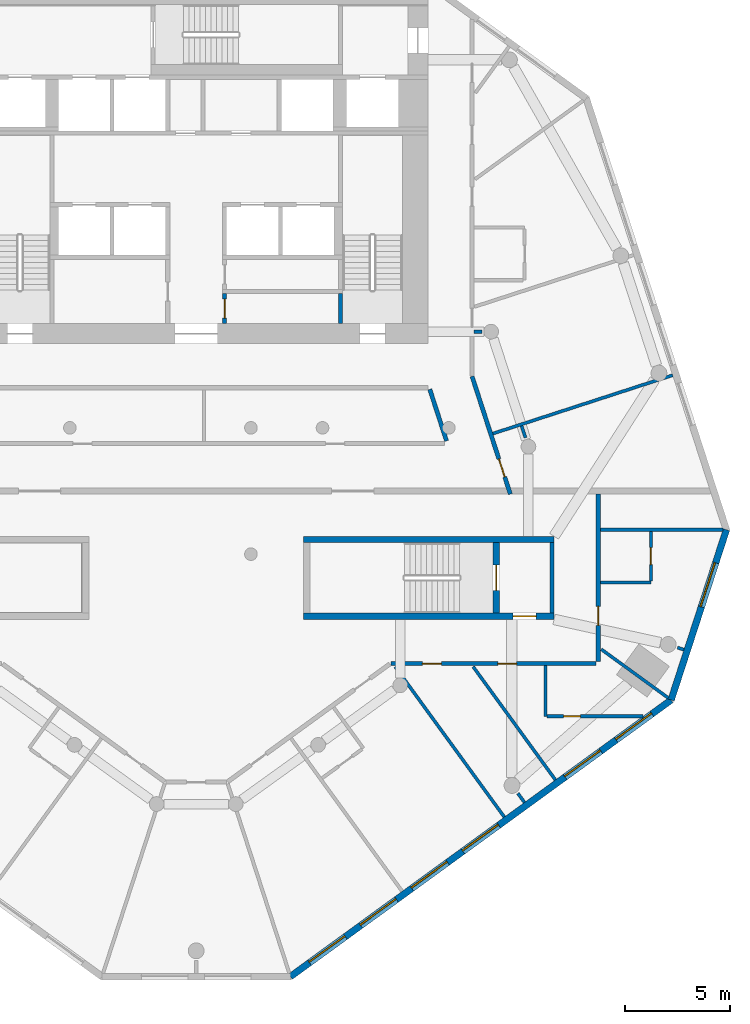
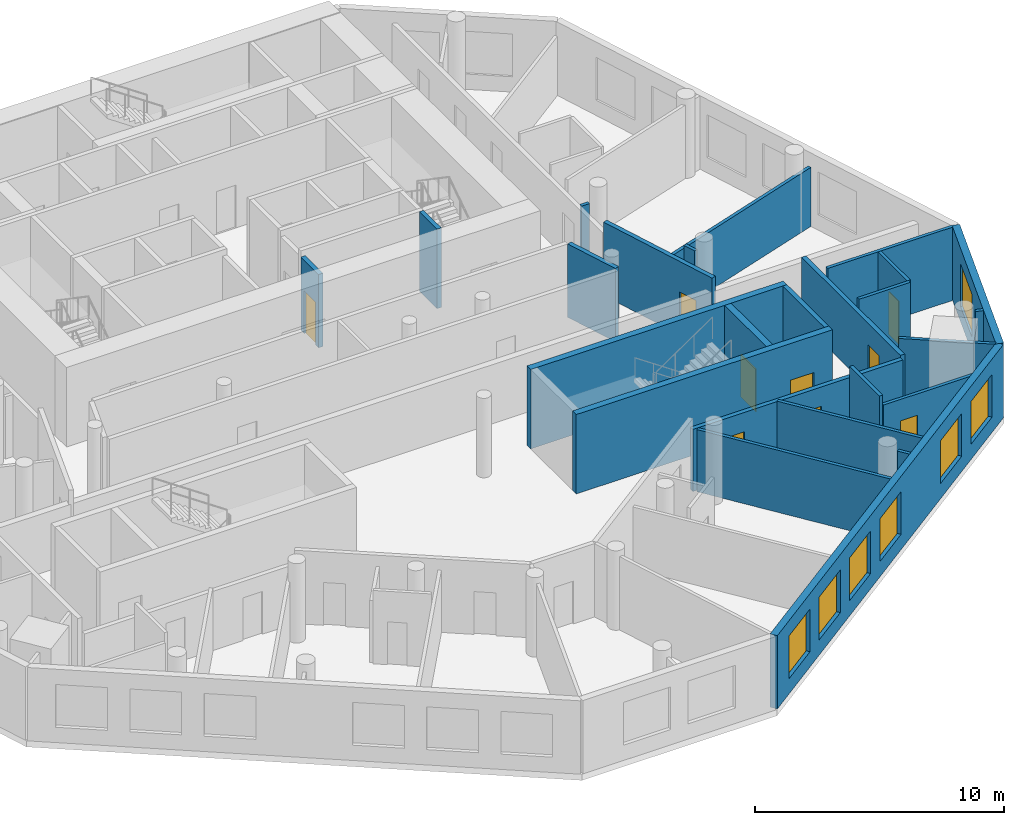
# One storey, part 4 of 9: 25 walls, 9 doors, 7 windows, 16 openings.
"""IFC4 building model written with IfcOpenShell, lengths in metres."""

from ifc_helpers import new_model, si_unit, direction, frame, frame_2d, origin, place, context, subcontext, project, spatial, rectangle, extrude, material, layer, layer_set, type_object, element, fill, save


model = new_model("IFC4")

# Units and contexts
model_context = context("Model", 3, precision=1e-05, world=origin(), true_north=direction((0.0, 1.0)))
body_context = subcontext(model_context, "Body", "Model", "MODEL_VIEW")
ifc_project = project(units=[si_unit("LENGTHUNIT", "METRE"), si_unit("AREAUNIT", "SQUARE_METRE"), si_unit("VOLUMEUNIT", "CUBIC_METRE"), si_unit("PLANEANGLEUNIT", "RADIAN"), si_unit("MASSUNIT", "GRAM", prefix="KILO")], contexts=[model_context])

# Site, building, storey
site_placement = place(None, origin())
site = spatial("IfcSite", under=ifc_project, at=site_placement, CompositionType="ELEMENT")
building_placement = place(site_placement, origin())
building = spatial("IfcBuilding", under=site, at=building_placement, Name="White Candle Pilgrim Tower", CompositionType="ELEMENT")
storey_placement = place(building_placement, frame((0.0, 0.0, 164.199951171875)))
storey = spatial("IfcBuildingStorey", under=building, at=storey_placement, Name="L37", CompositionType="ELEMENT", Elevation=164.199951171875)

# Wall
ifc_material_1 = material(Name="Concrete C60/75", Category="concrete")
ifc_layer_1 = layer(ifc_material_1, 0.199951171875)
ifc_layer_set_1 = layer_set([ifc_layer_1], Name="Core wall 200 mm Concrete C60/75")
wall_type_1 = type_object("IfcWallType", Name="Core wall 200 mm Concrete C60/75", PredefinedType="SHEAR", material=ifc_layer_set_1)
wall_1_placement = place(storey_placement, frame((86.89990234375, 58.199951171875, 0.0), z_axis=(0.0, 0.0, 1.0), x_axis=(0.0, 1.0, 0.0)))
element("IfcWall", 1, at=wall_1_placement, inside=storey, type_object=wall_type_1, Name="WL-L37-C08", PredefinedType="SHEAR", context=body_context, shape_type="SweptSolid", body=[
    extrude(rectangle(XDim=3.35009765625, YDim=0.199951171875, at=frame_2d((1.675048828125, 0.0))), origin(), (0.0, 0.0, 1.0), 3.900146484375),
])

# Wall, opening, door
ifc_material_2 = material(Name="Gypsum board on steel studs", Category="steel")
ifc_layer_2 = layer(ifc_material_2, 0.199951171875)
ifc_layer_set_2 = layer_set([ifc_layer_2], Name="Corridor wall 200 mm EI 45")
wall_type_2 = type_object("IfcWallType", Name="Corridor wall 200 mm EI 45", PredefinedType="PARTITIONING", material=ifc_layer_set_2)
wall_2_placement = place(storey_placement, frame((83.10498046875, 69.44189453125, 0.0), z_axis=(0.0, 0.0, 1.0), x_axis=(0.309018469575, -0.951056036972, 0.0)))
wall_2 = element("IfcWall", 2, at=wall_2_placement, inside=storey, type_object=wall_type_2, Name="WL-L37-P005", PredefinedType="PARTITIONING", context=body_context, shape_type="SweptSolid", body=[
    extrude(rectangle(XDim=5.879638671875, YDim=0.199951171875, at=frame_2d((2.93994140625, 0.0))), origin(), (0.0, 0.0, 1.0), 3.60009765625),
])
opening_1_placement = place(wall_2_placement, frame((4.11865234375, 0.0, 0.0)))
opening_1 = element("IfcOpeningElement", 3, at=opening_1_placement, cuts=wall_2, Name="Opening T11-133", PredefinedType="OPENING", context=body_context, shape_type="SweptSolid", body=[
    extrude(rectangle(XDim=0.89990234375, YDim=2.10009765625, at=frame_2d((0.449951171875, 1.050048828125))), frame((0.0, 0.10986328125, 0.0), z_axis=(0.0, -1.0, 0.0), x_axis=(1.0, 0.0, 0.0)), (0.0, 0.0, 1.0), 0.219970703125),
])
ifc_material_3 = material(Name="Steel door leaf", Category="steel")
door_type_1 = type_object("IfcDoorType", Name="Fire door 900 x 2100 EI 30", OperationType="NOTDEFINED", PredefinedType="DOOR", material=ifc_material_3)
door_1_placement = place(opening_1_placement, origin())
door_1 = element("IfcDoor", 4, at=door_1_placement, inside=storey, type_object=door_type_1, Name="Door T11-133", OperationType="SINGLE_SWING_LEFT", OverallHeight=2.10009765625, OverallWidth=0.89990234375, PredefinedType="DOOR", context=body_context, shape_type="SweptSolid", body=[
    extrude(rectangle(XDim=0.89990234375, YDim=2.10009765625, at=frame_2d((0.449951171875, 1.050048828125))), frame((0.0, 0.02490234375, 0.0), z_axis=(0.0, -1.0, 0.0), x_axis=(1.0, 0.0, 0.0)), (0.0, 0.0, 1.0), 0.050048828125),
])
fill(opening_1, door_1)

wall_3_placement = place(storey_placement, frame((89.10009765625, 63.85009765625, 0.0), z_axis=(0.0, 0.0, 1.0), x_axis=(0.0, -1.0, 0.0)))
wall_3 = element("IfcWall", 5, at=wall_3_placement, inside=storey, type_object=wall_type_2, Name="WL-L37-P006", PredefinedType="PARTITIONING", context=body_context, shape_type="SweptSolid", body=[
    extrude(rectangle(XDim=7.9501953125, YDim=0.199951171875, at=frame_2d((3.97509765625, 0.0))), origin(), (0.0, 0.0, 1.0), 3.150146484375),
])
opening_2_placement = place(wall_3_placement, frame((5.32861328125, 0.0, 0.0)))
opening_2 = element("IfcOpeningElement", 6, at=opening_2_placement, cuts=wall_3, Name="Opening T11-118", PredefinedType="OPENING", context=body_context, shape_type="SweptSolid", body=[
    extrude(rectangle(XDim=0.89990234375, YDim=2.10009765625, at=frame_2d((0.449951171875, 1.050048828125))), frame((0.0, 0.10986328125, 0.0), z_axis=(0.0, -1.0, 0.0), x_axis=(1.0, 0.0, 0.0)), (0.0, 0.0, 1.0), 0.219970703125),
])
door_2_placement = place(opening_2_placement, origin())
door_2 = element("IfcDoor", 7, at=door_2_placement, inside=storey, type_object=door_type_1, Name="Door T11-118", OperationType="SINGLE_SWING_RIGHT", OverallHeight=2.10009765625, OverallWidth=0.89990234375, PredefinedType="DOOR", context=body_context, shape_type="SweptSolid", body=[
    extrude(rectangle(XDim=0.89990234375, YDim=2.10009765625, at=frame_2d((0.449951171875, 1.050048828125))), frame((0.0, 0.02490234375, 0.0), z_axis=(0.0, -1.0, 0.0), x_axis=(1.0, 0.0, 0.0)), (0.0, 0.0, 1.0), 0.050048828125),
])
fill(opening_2, door_2)

# Wall, openings, doors
wall_4_placement = place(storey_placement, frame((89.0, 55.800048828125, 0.0), z_axis=(0.0, 0.0, 1.0), x_axis=(-1.0, 0.0, 0.0)))
wall_4 = element("IfcWall", 8, at=wall_4_placement, inside=storey, type_object=wall_type_2, Name="WL-L37-P007", PredefinedType="PARTITIONING", context=body_context, shape_type="SweptSolid", body=[
    extrude(rectangle(XDim=9.74853515625, YDim=0.199951171875, at=frame_2d((4.874267578125, 0.0))), origin(), (0.0, 0.0, 1.0), 3.050048828125),
])
opening_3_placement = place(wall_4_placement, frame((7.353515625, 0.0, 0.0)))
opening_3 = element("IfcOpeningElement", 9, at=opening_3_placement, cuts=wall_4, Name="Opening T11-114", PredefinedType="OPENING", context=body_context, shape_type="SweptSolid", body=[
    extrude(rectangle(XDim=0.89990234375, YDim=2.10009765625, at=frame_2d((0.449951171875, 1.050048828125))), frame((0.0, 0.10986328125, 0.0), z_axis=(0.0, -1.0, 0.0), x_axis=(1.0, 0.0, 0.0)), (0.0, 0.0, 1.0), 0.219970703125),
])
opening_4_placement = place(wall_4_placement, frame((3.77490234375, 0.0, 0.0)))
opening_4 = element("IfcOpeningElement", 10, at=opening_4_placement, cuts=wall_4, Name="Opening T11-116", PredefinedType="OPENING", context=body_context, shape_type="SweptSolid", body=[
    extrude(rectangle(XDim=0.89990234375, YDim=2.10009765625, at=frame_2d((0.449951171875, 1.050048828125))), frame((0.0, 0.10986328125, 0.0), z_axis=(0.0, -1.0, 0.0), x_axis=(1.0, 0.0, 0.0)), (0.0, 0.0, 1.0), 0.219970703125),
])
door_3_placement = place(opening_3_placement, origin())
door_3 = element("IfcDoor", 11, at=door_3_placement, inside=storey, type_object=door_type_1, Name="Door T11-114", OperationType="SINGLE_SWING_RIGHT", OverallHeight=2.10009765625, OverallWidth=0.89990234375, PredefinedType="DOOR", context=body_context, shape_type="SweptSolid", body=[
    extrude(rectangle(XDim=0.89990234375, YDim=2.10009765625, at=frame_2d((0.449951171875, 1.050048828125))), frame((0.0, 0.02490234375, 0.0), z_axis=(0.0, -1.0, 0.0), x_axis=(1.0, 0.0, 0.0)), (0.0, 0.0, 1.0), 0.050048828125),
])
fill(opening_3, door_3)
door_4_placement = place(opening_4_placement, origin())
door_4 = element("IfcDoor", 12, at=door_4_placement, inside=storey, type_object=door_type_1, Name="Door T11-116", OperationType="SINGLE_SWING_RIGHT", OverallHeight=2.10009765625, OverallWidth=0.89990234375, PredefinedType="DOOR", context=body_context, shape_type="SweptSolid", body=[
    extrude(rectangle(XDim=0.89990234375, YDim=2.10009765625, at=frame_2d((0.449951171875, 1.050048828125))), frame((0.0, 0.02490234375, 0.0), z_axis=(0.0, -1.0, 0.0), x_axis=(1.0, 0.0, 0.0)), (0.0, 0.0, 1.0), 0.050048828125),
])
fill(opening_4, door_4)

# Wall
wall_5_placement = place(storey_placement, frame((81.891357421875, 66.380859375, 0.0), z_axis=(0.0, 0.0, 1.0), x_axis=(-0.309053927645, 0.951044515155, 0.0)))
element("IfcWall", 13, at=wall_5_placement, inside=storey, type_object=wall_type_2, Name="WL-L37-P016", PredefinedType="PARTITIONING", context=body_context, shape_type="SweptSolid", body=[
    extrude(rectangle(XDim=2.576171875, YDim=0.199951171875, at=frame_2d((1.2880859375, 0.0))), origin(), (0.0, 0.0, 1.0), 3.60009765625),
])

# Wall, openings, windows
ifc_material_4 = material(Name="Precast concrete C40/50", Category="concrete")
ifc_layer_3 = layer(ifc_material_4, 0.320068359375)
ifc_layer_set_3 = layer_set([ifc_layer_3], Name="Facade wall EW1 precast concrete C40/50 pier wall with timber-lined reveals")
wall_type_3 = type_object("IfcWallType", Name="Facade wall EW1 precast concrete C40/50 pier wall with timber-lined reveals", PredefinedType="SOLIDWALL", material=ifc_layer_set_3)
wall_6_placement = place(storey_placement, frame((74.475341796875, 40.932373046875, 0.0), z_axis=(0.0, 0.0, 1.0), x_axis=(0.809019373805, 0.587781977274, 0.0)))
wall_6 = element("IfcWall", 14, at=wall_6_placement, inside=storey, type_object=wall_type_3, Name="Facade wall L37 SE", PredefinedType="SOLIDWALL", context=body_context, shape_type="SweptSolid", body=[
    extrude(rectangle(XDim=22.35302734375, YDim=0.320068359375, at=frame_2d((11.176513671875, 0.0))), origin(), (0.0, 0.0, 1.0), 3.60009765625),
])
opening_5_placement = place(wall_6_placement, frame((1.12646484375, 0.0, 0.75)))
opening_5 = element("IfcOpeningElement", 15, at=opening_5_placement, cuts=wall_6, Name="Opening W3", PredefinedType="OPENING", context=body_context, shape_type="SweptSolid", body=[
    extrude(rectangle(XDim=2.10009765625, YDim=2.10009765625, at=frame_2d((1.050048828125, 1.050048828125))), frame((0.0, 0.169921875, 0.0), z_axis=(0.0, -1.0, 0.0), x_axis=(1.0, 0.0, 0.0)), (0.0, 0.0, 1.0), 0.340087890625),
])
opening_6_placement = place(wall_6_placement, frame((4.12646484375, 0.0, 0.75)))
opening_6 = element("IfcOpeningElement", 16, at=opening_6_placement, cuts=wall_6, Name="Opening W3", PredefinedType="OPENING", context=body_context, shape_type="SweptSolid", body=[
    extrude(rectangle(XDim=2.10009765625, YDim=2.10009765625, at=frame_2d((1.050048828125, 1.050048828125))), frame((0.0, 0.169921875, 0.0), z_axis=(0.0, -1.0, 0.0), x_axis=(1.0, 0.0, 0.0)), (0.0, 0.0, 1.0), 0.340087890625),
])
opening_7_placement = place(wall_6_placement, frame((7.12646484375, 0.0, 0.75)))
opening_7 = element("IfcOpeningElement", 17, at=opening_7_placement, cuts=wall_6, Name="Opening W3", PredefinedType="OPENING", context=body_context, shape_type="SweptSolid", body=[
    extrude(rectangle(XDim=2.10009765625, YDim=2.10009765625, at=frame_2d((1.050048828125, 1.050048828125))), frame((0.0, 0.169921875, 0.0), z_axis=(0.0, -1.0, 0.0), x_axis=(1.0, 0.0, 0.0)), (0.0, 0.0, 1.0), 0.340087890625),
])
opening_8_placement = place(wall_6_placement, frame((10.12646484375, 0.0, 0.75)))
opening_8 = element("IfcOpeningElement", 18, at=opening_8_placement, cuts=wall_6, Name="Opening W3", PredefinedType="OPENING", context=body_context, shape_type="SweptSolid", body=[
    extrude(rectangle(XDim=2.10009765625, YDim=2.10009765625, at=frame_2d((1.050048828125, 1.050048828125))), frame((0.0, 0.169921875, 0.0), z_axis=(0.0, -1.0, 0.0), x_axis=(1.0, 0.0, 0.0)), (0.0, 0.0, 1.0), 0.340087890625),
])
opening_9_placement = place(wall_6_placement, frame((16.12646484375, 0.0, 0.75)))
opening_9 = element("IfcOpeningElement", 19, at=opening_9_placement, cuts=wall_6, Name="Opening W3", PredefinedType="OPENING", context=body_context, shape_type="SweptSolid", body=[
    extrude(rectangle(XDim=2.10009765625, YDim=2.10009765625, at=frame_2d((1.050048828125, 1.050048828125))), frame((0.0, 0.169921875, 0.0), z_axis=(0.0, -1.0, 0.0), x_axis=(1.0, 0.0, 0.0)), (0.0, 0.0, 1.0), 0.340087890625),
])
opening_10_placement = place(wall_6_placement, frame((19.12646484375, 0.0, 0.75)))
opening_10 = element("IfcOpeningElement", 20, at=opening_10_placement, cuts=wall_6, Name="Opening W3", PredefinedType="OPENING", context=body_context, shape_type="SweptSolid", body=[
    extrude(rectangle(XDim=2.10009765625, YDim=2.10009765625, at=frame_2d((1.050048828125, 1.050048828125))), frame((0.0, 0.169921875, 0.0), z_axis=(0.0, -1.0, 0.0), x_axis=(1.0, 0.0, 0.0)), (0.0, 0.0, 1.0), 0.340087890625),
])
ifc_material_5 = material(Name="Timber frame with triple glazing", Category="wood")
window_type_1 = type_object("IfcWindowType", Name="Window W3 2100x2100 timber frame triple glazing", PartitioningType="SINGLE_PANEL", PredefinedType="WINDOW", material=ifc_material_5)
window_1_placement = place(opening_5_placement, origin())
window_1 = element("IfcWindow", 21, at=window_1_placement, inside=storey, type_object=window_type_1, Name="Window W3 L37 SE 1", OverallHeight=2.10009765625, OverallWidth=2.10009765625, PartitioningType="SINGLE_PANEL", PredefinedType="WINDOW", context=body_context, shape_type="SweptSolid", body=[
    extrude(rectangle(XDim=2.10009765625, YDim=2.10009765625, at=frame_2d((1.050048828125, 1.050048828125))), frame((0.0, 0.070068359375, 0.0), z_axis=(0.0, -1.0, 0.0), x_axis=(1.0, 0.0, 0.0)), (0.0, 0.0, 1.0), 0.06005859375),
])
fill(opening_5, window_1)
window_2_placement = place(opening_6_placement, origin())
window_2 = element("IfcWindow", 22, at=window_2_placement, inside=storey, type_object=window_type_1, Name="Window W3 L37 SE 2", OverallHeight=2.10009765625, OverallWidth=2.10009765625, PartitioningType="SINGLE_PANEL", PredefinedType="WINDOW", context=body_context, shape_type="SweptSolid", body=[
    extrude(rectangle(XDim=2.10009765625, YDim=2.10009765625, at=frame_2d((1.050048828125, 1.050048828125))), frame((0.0, 0.070068359375, 0.0), z_axis=(0.0, -1.0, 0.0), x_axis=(1.0, 0.0, 0.0)), (0.0, 0.0, 1.0), 0.06005859375),
])
fill(opening_6, window_2)
window_3_placement = place(opening_7_placement, origin())
window_3 = element("IfcWindow", 23, at=window_3_placement, inside=storey, type_object=window_type_1, Name="Window W3 L37 SE 3", OverallHeight=2.10009765625, OverallWidth=2.10009765625, PartitioningType="SINGLE_PANEL", PredefinedType="WINDOW", context=body_context, shape_type="SweptSolid", body=[
    extrude(rectangle(XDim=2.10009765625, YDim=2.10009765625, at=frame_2d((1.050048828125, 1.050048828125))), frame((0.0, 0.070068359375, 0.0), z_axis=(0.0, -1.0, 0.0), x_axis=(1.0, 0.0, 0.0)), (0.0, 0.0, 1.0), 0.06005859375),
])
fill(opening_7, window_3)
window_4_placement = place(opening_8_placement, origin())
window_4 = element("IfcWindow", 24, at=window_4_placement, inside=storey, type_object=window_type_1, Name="Window W3 L37 SE 4", OverallHeight=2.10009765625, OverallWidth=2.10009765625, PartitioningType="SINGLE_PANEL", PredefinedType="WINDOW", context=body_context, shape_type="SweptSolid", body=[
    extrude(rectangle(XDim=2.10009765625, YDim=2.10009765625, at=frame_2d((1.050048828125, 1.050048828125))), frame((0.0, 0.070068359375, 0.0), z_axis=(0.0, -1.0, 0.0), x_axis=(1.0, 0.0, 0.0)), (0.0, 0.0, 1.0), 0.06005859375),
])
fill(opening_8, window_4)
window_5_placement = place(opening_9_placement, origin())
window_5 = element("IfcWindow", 25, at=window_5_placement, inside=storey, type_object=window_type_1, Name="Window W3 L37 SE 6", OverallHeight=2.10009765625, OverallWidth=2.10009765625, PartitioningType="SINGLE_PANEL", PredefinedType="WINDOW", context=body_context, shape_type="SweptSolid", body=[
    extrude(rectangle(XDim=2.10009765625, YDim=2.10009765625, at=frame_2d((1.050048828125, 1.050048828125))), frame((0.0, 0.070068359375, 0.0), z_axis=(0.0, -1.0, 0.0), x_axis=(1.0, 0.0, 0.0)), (0.0, 0.0, 1.0), 0.06005859375),
])
fill(opening_9, window_5)
window_6_placement = place(opening_10_placement, origin())
window_6 = element("IfcWindow", 26, at=window_6_placement, inside=storey, type_object=window_type_1, Name="Window W3 L37 SE 7", OverallHeight=2.10009765625, OverallWidth=2.10009765625, PartitioningType="SINGLE_PANEL", PredefinedType="WINDOW", context=body_context, shape_type="SweptSolid", body=[
    extrude(rectangle(XDim=2.10009765625, YDim=2.10009765625, at=frame_2d((1.050048828125, 1.050048828125))), frame((0.0, 0.070068359375, 0.0), z_axis=(0.0, -1.0, 0.0), x_axis=(1.0, 0.0, 0.0)), (0.0, 0.0, 1.0), 0.06005859375),
])
fill(opening_10, window_6)

# Wall, opening, window
wall_7_placement = place(storey_placement, frame((92.559326171875, 54.071044921875, 0.0), z_axis=(0.0, 0.0, 1.0), x_axis=(0.30900946713, 0.951058962012, 0.0)))
wall_7 = element("IfcWall", 27, at=wall_7_placement, inside=storey, type_object=wall_type_3, Name="Facade wall L37 E chamfer", PredefinedType="SOLIDWALL", context=body_context, shape_type="SweptSolid", body=[
    extrude(rectangle(XDim=8.503662109375, YDim=0.320068359375, at=frame_2d((4.251953125, 0.0))), origin(), (0.0, 0.0, 1.0), 3.60009765625),
])
opening_11_placement = place(wall_7_placement, frame((4.65185546875, 0.0, 0.75)))
opening_11 = element("IfcOpeningElement", 28, at=opening_11_placement, cuts=wall_7, Name="Opening W4", PredefinedType="OPENING", context=body_context, shape_type="SweptSolid", body=[
    extrude(rectangle(XDim=2.199951171875, YDim=2.10009765625, at=frame_2d((1.10009765625, 1.050048828125))), frame((0.0, 0.169921875, 0.0), z_axis=(0.0, -1.0, 0.0), x_axis=(1.0, 0.0, 0.0)), (0.0, 0.0, 1.0), 0.340087890625),
])
window_type_2 = type_object("IfcWindowType", Name="Window W4 2200x2100 timber frame triple glazing", PartitioningType="SINGLE_PANEL", PredefinedType="WINDOW", material=ifc_material_5)
window_7_placement = place(opening_11_placement, origin())
window_7 = element("IfcWindow", 29, at=window_7_placement, inside=storey, type_object=window_type_2, Name="Window W4 L37 E chamfer 2", OverallHeight=2.10009765625, OverallWidth=2.199951171875, PartitioningType="SINGLE_PANEL", PredefinedType="WINDOW", context=body_context, shape_type="SweptSolid", body=[
    extrude(rectangle(XDim=2.199951171875, YDim=2.10009765625, at=frame_2d((1.10009765625, 1.050048828125))), frame((0.0, 0.070068359375, 0.0), z_axis=(0.0, -1.0, 0.0), x_axis=(1.0, 0.0, 0.0)), (0.0, 0.0, 1.0), 0.06005859375),
])
fill(opening_11, window_7)

# Wall, opening, door
ifc_layer_4 = layer(ifc_material_2, 0.199951171875)
ifc_layer_set_4 = layer_set([ifc_layer_4], Name="Lobby wall 200 mm EI 60")
wall_type_4 = type_object("IfcWallType", Name="Lobby wall 200 mm EI 60", PredefinedType="PARTITIONING", material=ifc_layer_set_4)
wall_8_placement = place(storey_placement, frame((71.35009765625, 71.949951171875, 0.0), z_axis=(0.0, 0.0, 1.0), x_axis=(0.0, 1.0, 0.0)))
wall_8 = element("IfcWall", 30, at=wall_8_placement, inside=storey, type_object=wall_type_4, Name="WL-L37-C15", PredefinedType="PARTITIONING", context=body_context, shape_type="SweptSolid", body=[
    extrude(rectangle(XDim=1.425048828125, YDim=0.199951171875, at=frame_2d((0.71240234375, 0.0))), origin(), (0.0, 0.0, 1.0), 3.60009765625),
])
opening_12_placement = place(wall_8_placement, frame((0.262451171875, 0.0, 0.0)))
opening_12 = element("IfcOpeningElement", 31, at=opening_12_placement, cuts=wall_8, Name="Opening T11-006", PredefinedType="OPENING", context=body_context, shape_type="SweptSolid", body=[
    extrude(rectangle(XDim=0.89990234375, YDim=2.10009765625, at=frame_2d((0.449951171875, 1.050048828125))), frame((0.0, 0.10986328125, 0.0), z_axis=(0.0, -1.0, 0.0), x_axis=(1.0, 0.0, 0.0)), (0.0, 0.0, 1.0), 0.219970703125),
])
door_5_placement = place(opening_12_placement, origin())
door_5 = element("IfcDoor", 32, at=door_5_placement, inside=storey, type_object=door_type_1, Name="Door T11-006", OperationType="SINGLE_SWING_RIGHT", OverallHeight=2.10009765625, OverallWidth=0.89990234375, PredefinedType="DOOR", context=body_context, shape_type="SweptSolid", body=[
    extrude(rectangle(XDim=0.89990234375, YDim=2.10009765625, at=frame_2d((0.449951171875, 1.050048828125))), frame((0.0, 0.02490234375, 0.0), z_axis=(0.0, -1.0, 0.0), x_axis=(1.0, 0.0, 0.0)), (0.0, 0.0, 1.0), 0.050048828125),
])
fill(opening_12, door_5)

# Walls
ifc_layer_5 = layer(ifc_material_2, 0.14990234375)
ifc_layer_set_5 = layer_set([ifc_layer_5], Name="Partition 150 mm EI 60")
wall_type_5 = type_object("IfcWallType", Name="Partition 150 mm EI 60", PredefinedType="PARTITIONING", material=ifc_layer_set_5)
wall_9_placement = place(storey_placement, frame((92.423095703125, 54.169921875, 0.0), z_axis=(0.0, 0.0, 1.0), x_axis=(-0.809026161047, 0.587772635244, 0.0)))
element("IfcWall", 33, at=wall_9_placement, inside=storey, type_object=wall_type_5, Name="WL-L37-P022", PredefinedType="PARTITIONING", context=body_context, shape_type="SweptSolid", body=[
    extrude(rectangle(XDim=3.929443359375, YDim=0.14990234375, at=frame_2d((1.96484375, 0.0))), origin(), (0.0, 0.0, 1.0), 3.60009765625),
])
wall_10_placement = place(storey_placement, frame((95.018798828125, 62.158447265625, 0.0), z_axis=(0.0, 0.0, 1.0), x_axis=(-1.0, 0.0, 0.0)))
element("IfcWall", 34, at=wall_10_placement, inside=storey, type_object=wall_type_5, Name="WL-L37-P023", PredefinedType="PARTITIONING", context=body_context, shape_type="SweptSolid", body=[
    extrude(rectangle(XDim=5.81884765625, YDim=0.14990234375, at=frame_2d((2.909423828125, 0.0))), origin(), (0.0, 0.0, 1.0), 3.60009765625),
])
wall_11_placement = place(storey_placement, frame((84.63671875, 48.5126953125, 0.0), z_axis=(0.0, 0.0, 1.0), x_axis=(-0.587768822725, 0.809028930899, 0.0)))
element("IfcWall", 35, at=wall_11_placement, inside=storey, type_object=wall_type_5, Name="WL-L37-P041", PredefinedType="PARTITIONING", context=body_context, shape_type="SweptSolid", body=[
    extrude(rectangle(XDim=8.82958984375, YDim=0.14990234375, at=frame_2d((4.414794921875, 0.0))), origin(), (0.0, 0.0, 1.0), 3.050048828125),
])
wall_12_placement = place(storey_placement, frame((87.063720703125, 50.276123046875, 0.0), z_axis=(0.0, 0.0, 1.0), x_axis=(-0.587783062089, 0.809018585646, 0.0)))
element("IfcWall", 36, at=wall_12_placement, inside=storey, type_object=wall_type_5, Name="WL-L37-P042", PredefinedType="PARTITIONING", context=body_context, shape_type="SweptSolid", body=[
    extrude(rectangle(XDim=6.64990234375, YDim=0.14990234375, at=frame_2d((3.324951171875, 0.0))), origin(), (0.0, 0.0, 1.0), 3.150146484375),
])
wall_13_placement = place(storey_placement, frame((86.60009765625, 55.699951171875, 0.0), z_axis=(0.0, 0.0, 1.0), x_axis=(0.0, -1.0, 0.0)))
element("IfcWall", 37, at=wall_13_placement, inside=storey, type_object=wall_type_5, Name="WL-L37-P045", PredefinedType="PARTITIONING", context=body_context, shape_type="SweptSolid", body=[
    extrude(rectangle(XDim=2.39990234375, YDim=0.14990234375, at=frame_2d((1.199951171875, 0.0))), origin(), (0.0, 0.0, 1.0), 3.60009765625),
])

# Wall, opening, door
wall_14_placement = place(storey_placement, frame((91.225830078125, 53.300048828125, 0.0), z_axis=(0.0, 0.0, 1.0), x_axis=(-1.0, 0.0, 0.0)))
wall_14 = element("IfcWall", 38, at=wall_14_placement, inside=storey, type_object=wall_type_5, Name="WL-L37-P046", PredefinedType="PARTITIONING", context=body_context, shape_type="SweptSolid", body=[
    extrude(rectangle(XDim=4.55078125, YDim=0.14990234375, at=frame_2d((2.275390625, 0.0))), origin(), (0.0, 0.0, 1.0), 3.150146484375),
])
opening_13_placement = place(wall_14_placement, frame((2.975830078125, 0.0, 0.0)))
opening_13 = element("IfcOpeningElement", 39, at=opening_13_placement, cuts=wall_14, Name="Opening T11-115", PredefinedType="OPENING", context=body_context, shape_type="SweptSolid", body=[
    extrude(rectangle(XDim=0.800048828125, YDim=2.10009765625, at=frame_2d((0.39990234375, 1.050048828125))), frame((0.0, 0.0849609375, 0.0), z_axis=(0.0, -1.0, 0.0), x_axis=(1.0, 0.0, 0.0)), (0.0, 0.0, 1.0), 0.169921875),
])
door_type_2 = type_object("IfcDoorType", Name="Fire door 800 x 2100 EI 30", OperationType="NOTDEFINED", PredefinedType="DOOR", material=ifc_material_3)
door_6_placement = place(opening_13_placement, origin())
door_6 = element("IfcDoor", 40, at=door_6_placement, inside=storey, type_object=door_type_2, Name="Door T11-115", OperationType="SINGLE_SWING_LEFT", OverallHeight=2.10009765625, OverallWidth=0.800048828125, PredefinedType="DOOR", context=body_context, shape_type="SweptSolid", body=[
    extrude(rectangle(XDim=0.800048828125, YDim=2.10009765625, at=frame_2d((0.39990234375, 1.050048828125))), frame((0.0, 0.02490234375, 0.0), z_axis=(0.0, -1.0, 0.0), x_axis=(1.0, 0.0, 0.0)), (0.0, 0.0, 1.0), 0.050048828125),
])
fill(opening_13, door_6)

# Wall
wall_15_placement = place(storey_placement, frame((89.199951171875, 59.658447265625, 0.0), z_axis=(0.0, 0.0, 1.0), x_axis=(1.0, 0.0, 0.0)))
element("IfcWall", 41, at=wall_15_placement, inside=storey, type_object=wall_type_5, Name="WL-L37-P047", PredefinedType="PARTITIONING", context=body_context, shape_type="SweptSolid", body=[
    extrude(rectangle(XDim=2.400146484375, YDim=0.14990234375, at=frame_2d((1.2001953125, 0.0))), origin(), (0.0, 0.0, 1.0), 3.60009765625),
])

# Wall, opening, door
wall_16_placement = place(storey_placement, frame((91.60009765625, 62.08349609375, 0.0), z_axis=(0.0, 0.0, 1.0), x_axis=(0.0, -1.0, 0.0)))
wall_16 = element("IfcWall", 42, at=wall_16_placement, inside=storey, type_object=wall_type_5, Name="WL-L37-P048", PredefinedType="PARTITIONING", context=body_context, shape_type="SweptSolid", body=[
    extrude(rectangle(XDim=2.35009765625, YDim=0.14990234375, at=frame_2d((1.175048828125, 0.0))), origin(), (0.0, 0.0, 1.0), 3.60009765625),
])
opening_14_placement = place(wall_16_placement, frame((0.77490234375, 0.0, 0.0)))
opening_14 = element("IfcOpeningElement", 43, at=opening_14_placement, cuts=wall_16, Name="Opening T11-117", PredefinedType="OPENING", context=body_context, shape_type="SweptSolid", body=[
    extrude(rectangle(XDim=0.800048828125, YDim=2.10009765625, at=frame_2d((0.39990234375, 1.050048828125))), frame((0.0, 0.0849609375, 0.0), z_axis=(0.0, -1.0, 0.0), x_axis=(1.0, 0.0, 0.0)), (0.0, 0.0, 1.0), 0.169921875),
])
door_7_placement = place(opening_14_placement, origin())
door_7 = element("IfcDoor", 44, at=door_7_placement, inside=storey, type_object=door_type_2, Name="Door T11-117", OperationType="SINGLE_SWING_LEFT", OverallHeight=2.10009765625, OverallWidth=0.800048828125, PredefinedType="DOOR", context=body_context, shape_type="SweptSolid", body=[
    extrude(rectangle(XDim=0.800048828125, YDim=2.10009765625, at=frame_2d((0.39990234375, 1.050048828125))), frame((0.0, 0.02490234375, 0.0), z_axis=(0.0, -1.0, 0.0), x_axis=(1.0, 0.0, 0.0)), (0.0, 0.0, 1.0), 0.050048828125),
])
fill(opening_14, door_7)

# Walls
wall_17_placement = place(storey_placement, frame((92.6328125, 69.50146484375, 0.0), z_axis=(0.0, 0.0, 1.0), x_axis=(-0.951051249243, -0.309033204224, 0.0)))
element("IfcWall", 45, at=wall_17_placement, inside=storey, type_object=wall_type_5, Name="WL-L37-P049", PredefinedType="PARTITIONING", context=body_context, shape_type="SweptSolid", body=[
    extrude(rectangle(XDim=8.97998046875, YDim=0.14990234375, at=frame_2d((4.489990234375, 0.0))), origin(), (0.0, 0.0, 1.0), 2.900146484375),
])
wall_18_placement = place(storey_placement, frame((85.28076171875, 49.639404296875, 0.0), z_axis=(0.0, 0.0, 1.0), x_axis=(0.587763032522, -0.809033137517, 0.0)))
element("IfcWall", 46, at=wall_18_placement, inside=storey, type_object=wall_type_5, Name="WL-L37-P059", PredefinedType="PARTITIONING", context=body_context, shape_type="SweptSolid", body=[
    extrude(rectangle(XDim=0.532958984375, YDim=0.14990234375, at=frame_2d((0.2666015625, 0.0))), origin(), (0.0, 0.0, 1.0), 3.60009765625),
])
wall_19_placement = place(storey_placement, frame((92.861083984375, 56.56298828125, 0.0), z_axis=(0.0, 0.0, 1.0), x_axis=(0.95100073077, -0.309188631864, 0.0)))
element("IfcWall", 47, at=wall_19_placement, inside=storey, type_object=wall_type_5, Name="WL-L37-P060", PredefinedType="PARTITIONING", context=body_context, shape_type="SweptSolid", body=[
    extrude(rectangle(XDim=0.322998046875, YDim=0.14990234375, at=frame_2d((0.16162109375, 0.0))), origin(), (0.0, 0.0, 1.0), 3.60009765625),
])
wall_20_placement = place(storey_placement, frame((85.64111328125, 66.52734375, 0.0), z_axis=(0.0, 0.0, 1.0), x_axis=(-0.309179160729, 0.951003809966, 0.0)))
element("IfcWall", 48, at=wall_20_placement, inside=storey, type_object=wall_type_5, Name="WL-L37-P061", PredefinedType="PARTITIONING", context=body_context, shape_type="SweptSolid", body=[
    extrude(rectangle(XDim=0.593017578125, YDim=0.14990234375, at=frame_2d((0.29638671875, 0.0))), origin(), (0.0, 0.0, 1.0), 3.050048828125),
])
wall_21_placement = place(storey_placement, frame((83.570068359375, 71.567626953125, 0.0), z_axis=(0.0, 0.0, 1.0), x_axis=(-1.0, 0.0, 0.0)))
element("IfcWall", 49, at=wall_21_placement, inside=storey, type_object=wall_type_5, Name="WL-L37-P062", PredefinedType="PARTITIONING", context=body_context, shape_type="SweptSolid", body=[
    extrude(rectangle(XDim=0.3701171875, YDim=0.14990234375, at=frame_2d((0.18505859375, 0.0))), origin(), (0.0, 0.0, 1.0), 3.050048828125),
])
ifc_layer_6 = layer(ifc_material_1, 0.199951171875)
ifc_layer_set_6 = layer_set([ifc_layer_6], Name="Stair shaft wall 200 mm Concrete C60/75")
wall_type_6 = type_object("IfcWallType", Name="Stair shaft wall 200 mm Concrete C60/75", PredefinedType="SHEAR", material=ifc_layer_set_6)
wall_22_placement = place(storey_placement, frame((76.85009765625, 71.949951171875, 0.0), z_axis=(0.0, 0.0, 1.0), x_axis=(0.0, 1.0, 0.0)))
element("IfcWall", 50, at=wall_22_placement, inside=storey, type_object=wall_type_6, Name="WL-L37-C16", PredefinedType="SHEAR", context=body_context, shape_type="SweptSolid", body=[
    extrude(rectangle(XDim=1.425048828125, YDim=0.199951171875, at=frame_2d((0.71240234375, 0.0))), origin(), (0.0, 0.0, 1.0), 3.900146484375),
])

# Wall, opening, door
ifc_layer_7 = layer(ifc_material_1, 0.300048828125)
ifc_layer_set_7 = layer_set([ifc_layer_7], Name="Stair shaft wall 300 mm Concrete C60/75")
wall_type_7 = type_object("IfcWallType", Name="Stair shaft wall 300 mm Concrete C60/75", PredefinedType="SHEAR", material=ifc_layer_set_7)
wall_23_placement = place(storey_placement, frame((75.10009765625, 58.050048828125, 0.0), z_axis=(0.0, 0.0, 1.0), x_axis=(1.0, 0.0, 0.0)))
wall_23 = element("IfcWall", 51, at=wall_23_placement, inside=storey, type_object=wall_type_7, Name="WL-L37-C02", PredefinedType="SHEAR", context=body_context, shape_type="SweptSolid", body=[
    extrude(rectangle(XDim=11.89990234375, YDim=0.300048828125, at=frame_2d((5.949951171875, 0.0))), origin(), (0.0, 0.0, 1.0), 3.900146484375),
])
opening_15_placement = place(wall_23_placement, frame((9.949951171875, 0.0, 0.0)))
opening_15 = element("IfcOpeningElement", 52, at=opening_15_placement, cuts=wall_23, Name="Opening T11-012", PredefinedType="OPENING", context=body_context, shape_type="SweptSolid", body=[
    extrude(rectangle(XDim=1.10009765625, YDim=2.10009765625, at=frame_2d((0.550048828125, 1.050048828125))), frame((0.0, 0.159912109375, 0.0), z_axis=(0.0, -1.0, 0.0), x_axis=(1.0, 0.0, 0.0)), (0.0, 0.0, 1.0), 0.320068359375),
])
door_type_3 = type_object("IfcDoorType", Name="Fire door 1100 x 2100 EI 60", OperationType="NOTDEFINED", PredefinedType="DOOR", material=ifc_material_3)
door_8_placement = place(opening_15_placement, origin())
door_8 = element("IfcDoor", 53, at=door_8_placement, inside=storey, type_object=door_type_3, Name="Door T11-012", OperationType="SINGLE_SWING_RIGHT", OverallHeight=2.10009765625, OverallWidth=1.10009765625, PredefinedType="DOOR", context=body_context, shape_type="SweptSolid", body=[
    extrude(rectangle(XDim=1.10009765625, YDim=2.10009765625, at=frame_2d((0.550048828125, 1.050048828125))), frame((0.0, 0.02490234375, 0.0), z_axis=(0.0, -1.0, 0.0), x_axis=(1.0, 0.0, 0.0)), (0.0, 0.0, 1.0), 0.050048828125),
])
fill(opening_15, door_8)

wall_24_placement = place(storey_placement, frame((84.25, 58.199951171875, 0.0), z_axis=(0.0, 0.0, 1.0), x_axis=(0.0, 1.0, 0.0)))
wall_24 = element("IfcWall", 54, at=wall_24_placement, inside=storey, type_object=wall_type_7, Name="WL-L37-C07", PredefinedType="SHEAR", context=body_context, shape_type="SweptSolid", body=[
    extrude(rectangle(XDim=3.35009765625, YDim=0.300048828125, at=frame_2d((1.675048828125, 0.0))), origin(), (0.0, 0.0, 1.0), 3.900146484375),
])
opening_16_placement = place(wall_24_placement, frame((1.074951171875, 0.0, 0.0)))
opening_16 = element("IfcOpeningElement", 55, at=opening_16_placement, cuts=wall_24, Name="Opening T11-013", PredefinedType="OPENING", context=body_context, shape_type="SweptSolid", body=[
    extrude(rectangle(XDim=1.199951171875, YDim=2.10009765625, at=frame_2d((0.60009765625, 1.050048828125))), frame((0.0, 0.159912109375, 0.0), z_axis=(0.0, -1.0, 0.0), x_axis=(1.0, 0.0, 0.0)), (0.0, 0.0, 1.0), 0.320068359375),
])
door_type_4 = type_object("IfcDoorType", Name="Fire door 1200 x 2100 EI 60", OperationType="NOTDEFINED", PredefinedType="DOOR", material=ifc_material_3)
door_9_placement = place(opening_16_placement, origin())
door_9 = element("IfcDoor", 56, at=door_9_placement, inside=storey, type_object=door_type_4, Name="Door T11-013", OperationType="SINGLE_SWING_LEFT", OverallHeight=2.10009765625, OverallWidth=1.199951171875, PredefinedType="DOOR", context=body_context, shape_type="SweptSolid", body=[
    extrude(rectangle(XDim=1.199951171875, YDim=2.10009765625, at=frame_2d((0.60009765625, 1.050048828125))), frame((0.0, 0.02490234375, 0.0), z_axis=(0.0, -1.0, 0.0), x_axis=(1.0, 0.0, 0.0)), (0.0, 0.0, 1.0), 0.050048828125),
])
fill(opening_16, door_9)

# Wall
wall_25_placement = place(storey_placement, frame((75.10009765625, 61.699951171875, 0.0), z_axis=(0.0, 0.0, 1.0), x_axis=(1.0, 0.0, 0.0)))
element("IfcWall", 57, at=wall_25_placement, inside=storey, type_object=wall_type_7, Name="WL-L37-C10", PredefinedType="SHEAR", context=body_context, shape_type="SweptSolid", body=[
    extrude(rectangle(XDim=11.89990234375, YDim=0.300048828125, at=frame_2d((5.949951171875, 0.0))), origin(), (0.0, 0.0, 1.0), 3.900146484375),
])

save(model, "model.ifc")
